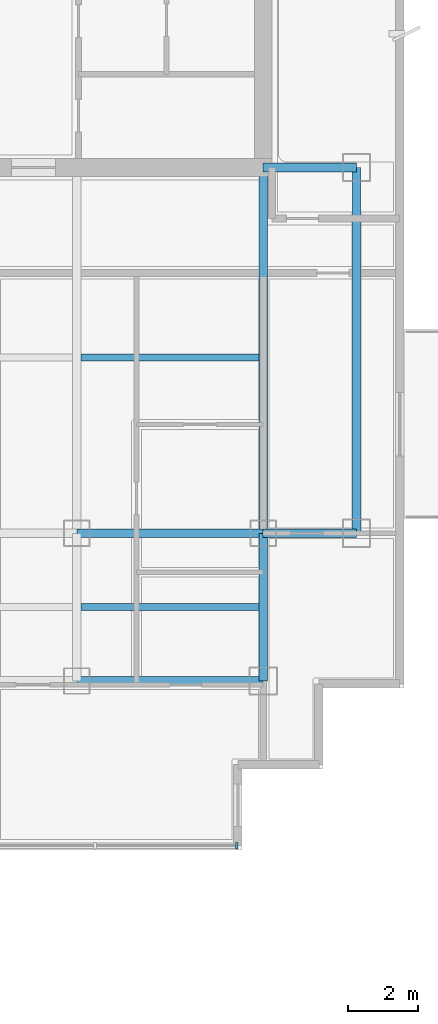
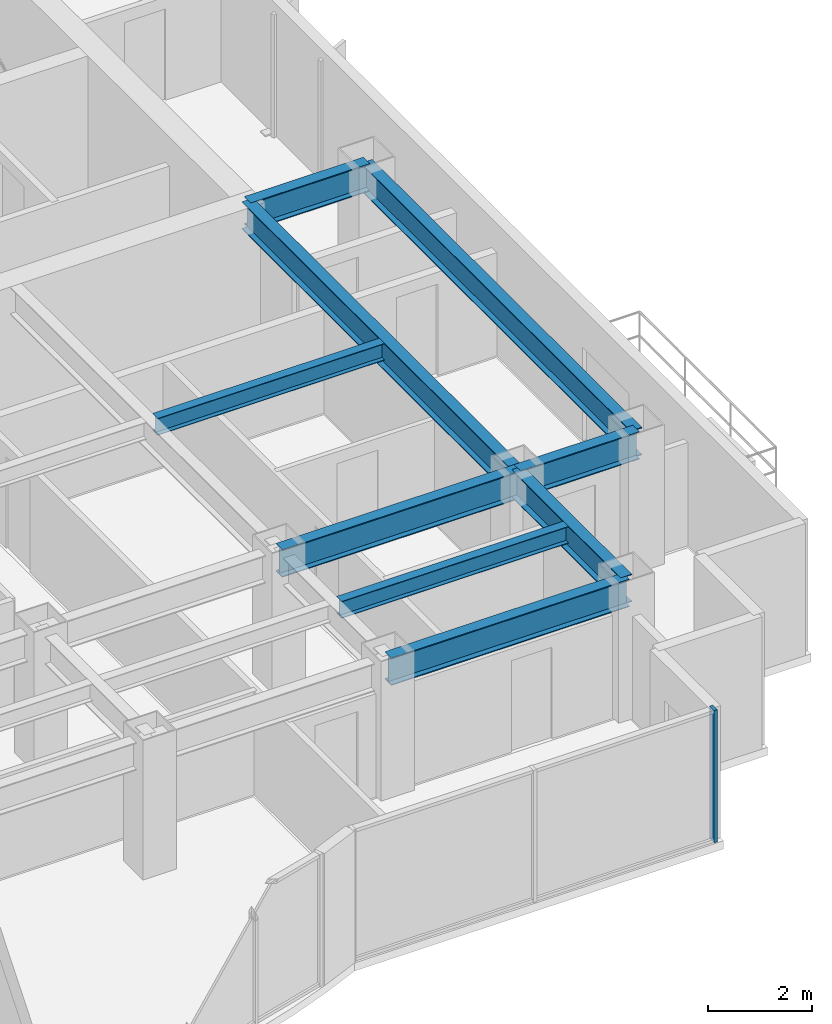
# One storey, part 4 of 11: 9 beams, 1 member, 1 element without a shape of its own.
"""IFC4 building model written with IfcOpenShell, lengths in metres."""

from ifc_helpers import new_model, si_unit, direction, frame, origin, origin_2d, place, context, subcontext, project, spatial, rectangle, i_section, extrude, source, transform, mapped, material, layer, layer_set, material_profile, profile_set, type_object, element, aggregate, save


model = new_model("IFC4")

# Units and contexts
model_context = context("Model", 3, precision=1e-05, world=origin(), true_north=direction((0.0, 1.0)))
body_context = subcontext(model_context, "Body", "Model", "MODEL_VIEW")
ifc_project = project(units=[si_unit("LENGTHUNIT", "METRE"), si_unit("AREAUNIT", "SQUARE_METRE"), si_unit("VOLUMEUNIT", "CUBIC_METRE"), si_unit("PLANEANGLEUNIT", "RADIAN"), si_unit("MASSUNIT", "GRAM", prefix="KILO")], contexts=[model_context])

# Site, building, storey
site_placement = place(None, origin())
site = spatial("IfcSite", under=ifc_project, at=site_placement, CompositionType="ELEMENT")
building_placement = place(site_placement, origin())
building = spatial("IfcBuilding", under=site, at=building_placement, Name="Qianlan Lanfeng Residences", CompositionType="ELEMENT")
storey_placement = place(building_placement, frame((0.0, 0.0, 226.39990234375)))
storey = spatial("IfcBuildingStorey", under=building, at=storey_placement, Name="L62", CompositionType="ELEMENT", Elevation=226.39990234375)

# Beams
ifc_material_1 = material(Name="Steel SN490B", Category="steel")
ifc_material_profile_1 = material_profile(ifc_material_1, i_section(OverallWidth=0.25, OverallDepth=0.64990234375, WebThickness=0.012939453125, FlangeThickness=0.02197265625, at=origin_2d()), Name="H 650x250x13x22")
ifc_profile_set_1 = profile_set([ifc_material_profile_1], Name="Steel SN490B")
beam_type_1 = type_object("IfcBeamType", Name="G-650", PredefinedType="BEAM", material=ifc_profile_set_1)
for number, where, z_axis, x_axis, name in (
    (1, (37.10009765625, 10.60009765625, 2.78515625), (1.0, 0.0, 0.0), (0.0, 1.0, 0.0), "Structural beam G-650"),
    (2, (37.10009765625, 14.800048828125, 2.78515625), (1.0, 0.0, 0.0), (0.0, 1.0, 0.0), "Structural beam G-650"),
):
    element("IfcBeam", number, at=place(storey_placement, frame(where, z_axis=z_axis, x_axis=x_axis)), inside=storey, type_object=beam_type_1, Name=name, PredefinedType="BEAM", context=body_context, shape_type="SweptSolid", body=[
        extrude(i_section(OverallWidth=0.25, OverallDepth=0.64990234375, WebThickness=0.012939453125, FlangeThickness=0.02197265625, at=origin_2d()), origin(), (0.0, 0.0, 1.0), 5.2998046875),
    ])
for number, where, z_axis, x_axis, name in (
    (3, (42.39990234375, 14.800048828125, 2.78515625), (1.0, 0.0, 0.0), (0.0, 1.0, 0.0), "Structural beam G-650"),
    (4, (42.39990234375, 25.199951171875, 2.78515625), (1.0, 0.0, 0.0), (0.0, 1.0, 0.0), "Structural beam G-650"),
):
    element("IfcBeam", number, at=place(storey_placement, frame(where, z_axis=z_axis, x_axis=x_axis)), inside=storey, type_object=beam_type_1, Name=name, PredefinedType="BEAM", context=body_context, shape_type="SweptSolid", body=[
        extrude(i_section(OverallWidth=0.25, OverallDepth=0.64990234375, WebThickness=0.012939453125, FlangeThickness=0.02197265625, at=origin_2d()), origin(), (0.0, 0.0, 1.0), 2.650146484375),
    ])
beam_1_placement = place(storey_placement, frame((42.39990234375, 10.60009765625, 2.78515625), z_axis=(0.0, 1.0, 0.0), x_axis=(-1.0, 0.0, 0.0)))
element("IfcBeam", 5, at=beam_1_placement, inside=storey, type_object=beam_type_1, Name="Structural beam G-650", PredefinedType="BEAM", context=body_context, shape_type="SweptSolid", body=[
    extrude(i_section(OverallWidth=0.25, OverallDepth=0.64990234375, WebThickness=0.012939453125, FlangeThickness=0.02197265625, at=origin_2d()), origin(), (0.0, 0.0, 1.0), 4.199951171875),
])
beam_2_placement = place(storey_placement, frame((42.39990234375, 14.800048828125, 2.78515625), z_axis=(0.0, 1.0, 0.0), x_axis=(-1.0, 0.0, 0.0)))
element("IfcBeam", 6, at=beam_2_placement, inside=storey, type_object=beam_type_1, Name="Structural beam G-650", PredefinedType="BEAM", context=body_context, shape_type="SweptSolid", body=[
    extrude(i_section(OverallWidth=0.25, OverallDepth=0.64990234375, WebThickness=0.012939453125, FlangeThickness=0.02197265625, at=origin_2d()), origin(), (0.0, 0.0, 1.0), 10.39990234375),
])
ifc_material_profile_2 = material_profile(ifc_material_1, i_section(OverallWidth=0.199951171875, OverallDepth=0.39990234375, WebThickness=0.008056640625, FlangeThickness=0.012939453125, at=origin_2d()), Name="H 400x200x8x13")
ifc_profile_set_2 = profile_set([ifc_material_profile_2], Name="Steel SN490B")
beam_type_2 = type_object("IfcBeamType", Name="J-400", PredefinedType="JOIST", material=ifc_profile_set_2)
for number, where, z_axis, x_axis, name in (
    (7, (37.22509765625, 12.699951171875, 2.91015625), (1.0, 0.0, 0.0), (0.0, 1.0, 0.0), "Structural beam J-400"),
    (8, (37.22509765625, 19.800048828125, 2.91015625), (1.0, 0.0, 0.0), (0.0, 1.0, 0.0), "Structural beam J-400"),
):
    element("IfcBeam", number, at=place(storey_placement, frame(where, z_axis=z_axis, x_axis=x_axis)), inside=storey, type_object=beam_type_2, Name=name, PredefinedType="JOIST", context=body_context, shape_type="SweptSolid", body=[
        extrude(i_section(OverallWidth=0.199951171875, OverallDepth=0.39990234375, WebThickness=0.008056640625, FlangeThickness=0.012939453125, at=origin_2d()), origin(), (0.0, 0.0, 1.0), 5.0498046875),
    ])
ifc_material_profile_3 = material_profile(ifc_material_1, i_section(OverallWidth=0.25, OverallDepth=0.64990234375, WebThickness=0.012939453125, FlangeThickness=0.02197265625, at=origin_2d()), Name="H 650x250x13x22")
ifc_profile_set_3 = profile_set([ifc_material_profile_3], Name="Steel SN490B")
beam_type_3 = type_object("IfcBeamType", Name="SG-650", PredefinedType="SPANDREL", material=ifc_profile_set_3)
beam_3_placement = place(storey_placement, frame((45.050048828125, 14.800048828125, 2.76513671875), z_axis=(0.0, 1.0, 0.0), x_axis=(-1.0, 0.0, 0.0)))
element("IfcBeam", 9, at=beam_3_placement, inside=storey, type_object=beam_type_3, Name="Structural beam SG-650", PredefinedType="SPANDREL", context=body_context, shape_type="SweptSolid", body=[
    extrude(i_section(OverallWidth=0.25, OverallDepth=0.64990234375, WebThickness=0.012939453125, FlangeThickness=0.02197265625, at=origin_2d()), origin(), (0.0, 0.0, 1.0), 10.39990234375),
])

# Curtain wall, member
ifc_material_2 = material(Name="Anodised Bronze Aluminium 6063-T6", Category="aluminium")
ifc_layer = layer(ifc_material_2, 0.219970703125)
ifc_layer_set = layer_set([ifc_layer], Name="Anodised Bronze Aluminium 6063-T6")
curtain_wall_type = type_object("IfcCurtainWallType", Name="CW-05", PredefinedType="NOTDEFINED", material=ifc_layer_set)
curtain_wall_placement = place(storey_placement, origin())
curtain_wall = element("IfcCurtainWall", 10, at=curtain_wall_placement, inside=storey, type_object=curtain_wall_type, Name="L62 Unitised Curtain Wall CWR-L62-04 (CW-05)", PredefinedType="NOTDEFINED")
ifc_material_profile_4 = material_profile(ifc_material_2, rectangle(XDim=0.074951171875, YDim=0.179931640625, at=origin_2d()), Name="ALU MULLION 75x180")
ifc_profile_set_4 = profile_set([ifc_material_profile_4], Name="Anodised Bronze Aluminium 6063-T6")
member_type = type_object("IfcMemberType", Name="CWM-180", PredefinedType="MULLION", material=ifc_profile_set_4)
shared_shape = source(origin(), body_context, "Body", "SweptSolid", [
    extrude(rectangle(XDim=0.074951171875, YDim=0.179931640625, at=origin_2d()), origin(), (0.0, 0.0, 1.0), 3.110107421875),
])
member_placement = place(storey_placement, frame((41.642578125, 5.919921875, 0.0), z_axis=(0.0, 0.0, 1.0), x_axis=(1.0, 0.0, 0.0)))
member = element("IfcMember", 11, at=member_placement, type_object=member_type, Name="CWR-L62-04 Mullion 3", PredefinedType="MULLION", context=body_context, shape_type="MappedRepresentation", body=[
    mapped(shared_shape, transform((0.0, 0.0, 0.0), scale=1.0)),
])
aggregate(curtain_wall, [member])

save(model, "model.ifc")
